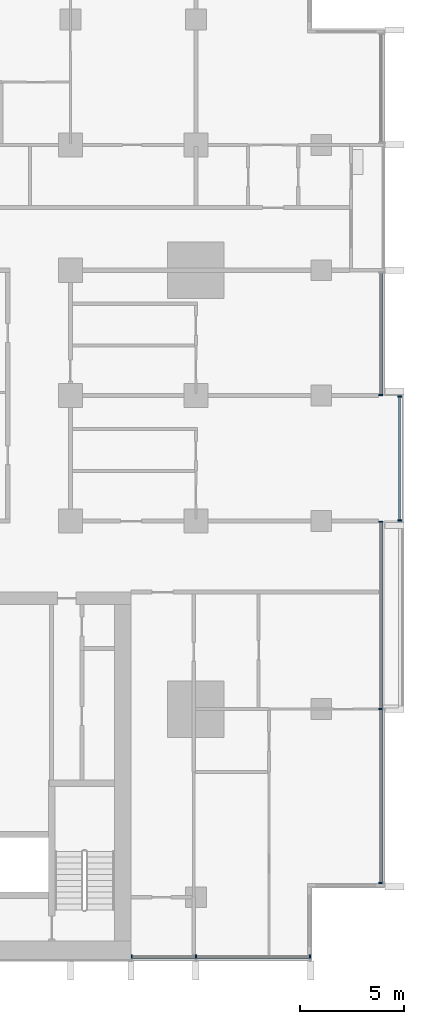
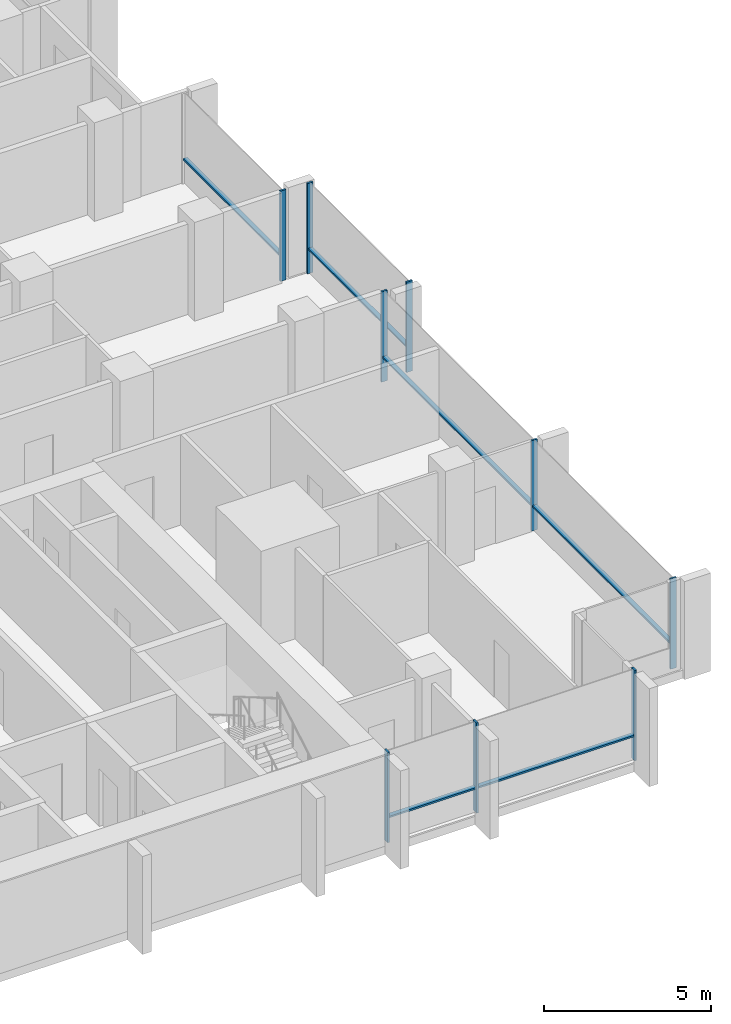
# One storey, part 3 of 17: 15 members, 4 elements without a shape of their own.
"""IFC4 building model written with IfcOpenShell, lengths in metres."""

from ifc_helpers import new_model, si_unit, direction, frame, origin, origin_2d, place, context, subcontext, project, spatial, rectangle, extrude, material, material_profile, profile_set, type_object, element, aggregate, save


model = new_model("IFC4")

# Units and contexts
model_context = context("Model", 3, precision=1e-05, world=origin(), true_north=direction((0.0, 1.0)))
body_context = subcontext(model_context, "Body", "Model", "MODEL_VIEW")
ifc_project = project(units=[si_unit("LENGTHUNIT", "METRE"), si_unit("AREAUNIT", "SQUARE_METRE"), si_unit("VOLUMEUNIT", "CUBIC_METRE"), si_unit("PLANEANGLEUNIT", "RADIAN"), si_unit("MASSUNIT", "GRAM", prefix="KILO")], contexts=[model_context])

# Site, building, storey
site_placement = place(None, origin())
site = spatial("IfcSite", under=ifc_project, at=site_placement, CompositionType="ELEMENT")
building_placement = place(site_placement, origin())
building = spatial("IfcBuilding", under=site, at=building_placement, Name="Finial Court Residences", CompositionType="ELEMENT")
storey_placement = place(building_placement, frame((0.0, 0.0, 99.10009765625)))
storey = spatial("IfcBuildingStorey", under=building, at=storey_placement, Name="L24", CompositionType="ELEMENT", Elevation=99.10009765625)

# Curtain wall, members
ifc_material = material(Name="Bronze anodised aluminium", Category="aluminium")
curtain_wall_type = type_object("IfcCurtainWallType", Name="Unitised curtain wall, lower and middle zones", PredefinedType="NOTDEFINED", material=ifc_material)
curtain_wall_1_placement = place(storey_placement, origin())
curtain_wall_1 = element("IfcCurtainWall", 1, at=curtain_wall_1_placement, inside=storey, type_object=curtain_wall_type, Name="E-L24-CW-E4", PredefinedType="NOTDEFINED")
ifc_material_profile_1 = material_profile(ifc_material, rectangle(XDim=0.199951171875, YDim=0.06494140625, at=origin_2d()), Name="CW1 mullion 65 x 200")
ifc_profile_set_1 = profile_set([ifc_material_profile_1], Name="Bronze anodised aluminium")
member_type_1 = type_object("IfcMemberType", Name="CW1 mullion 65 x 200", PredefinedType="MULLION", material=ifc_profile_set_1)
member_1_placement = place(storey_placement, frame((25.35009765625, -21.8173828125, 0.0), z_axis=(0.0, 0.0, 1.0), x_axis=(-1.0, 0.0, 0.0)))
member_1 = element("IfcMember", 2, at=member_1_placement, type_object=member_type_1, Name="CW1 mullion 1", PredefinedType="MULLION", context=body_context, shape_type="SweptSolid", body=[
    extrude(rectangle(XDim=0.199951171875, YDim=0.06494140625, at=origin_2d()), origin(), (0.0, 0.0, 1.0), 3.2998046875),
])
member_2_placement = place(storey_placement, frame((25.35009765625, -13.5, 0.0), z_axis=(0.0, 0.0, 1.0), x_axis=(-1.0, 0.0, 0.0)))
member_2 = element("IfcMember", 3, at=member_2_placement, type_object=member_type_1, Name="CW1 mullion 2", PredefinedType="MULLION", context=body_context, shape_type="SweptSolid", body=[
    extrude(rectangle(XDim=0.199951171875, YDim=0.06494140625, at=origin_2d()), origin(), (0.0, 0.0, 1.0), 3.2998046875),
])
member_3_placement = place(storey_placement, frame((25.35009765625, -4.532470703125, 0.0), z_axis=(0.0, 0.0, 1.0), x_axis=(-1.0, 0.0, 0.0)))
member_3 = element("IfcMember", 4, at=member_3_placement, type_object=member_type_1, Name="CW1 mullion 3", PredefinedType="MULLION", context=body_context, shape_type="SweptSolid", body=[
    extrude(rectangle(XDim=0.199951171875, YDim=0.06494140625, at=origin_2d()), origin(), (0.0, 0.0, 1.0), 3.2998046875),
])

curtain_wall_2_placement = place(storey_placement, origin())
curtain_wall_2 = element("IfcCurtainWall", 5, at=curtain_wall_2_placement, inside=storey, type_object=curtain_wall_type, Name="E-L24-CW-E5", PredefinedType="NOTDEFINED")
member_4_placement = place(storey_placement, frame((26.25, -4.467529296875, 0.0), z_axis=(0.0, 0.0, 1.0), x_axis=(-1.0, 0.0, 0.0)))
member_4 = element("IfcMember", 6, at=member_4_placement, type_object=member_type_1, Name="CW1 mullion 1", PredefinedType="MULLION", context=body_context, shape_type="SweptSolid", body=[
    extrude(rectangle(XDim=0.199951171875, YDim=0.06494140625, at=origin_2d()), origin(), (0.0, 0.0, 1.0), 3.2998046875),
])
member_5_placement = place(storey_placement, frame((26.25, 1.467529296875, 0.0), z_axis=(0.0, 0.0, 1.0), x_axis=(-1.0, 0.0, 0.0)))
member_5 = element("IfcMember", 7, at=member_5_placement, type_object=member_type_1, Name="CW1 mullion 2", PredefinedType="MULLION", context=body_context, shape_type="SweptSolid", body=[
    extrude(rectangle(XDim=0.199951171875, YDim=0.06494140625, at=origin_2d()), origin(), (0.0, 0.0, 1.0), 3.2998046875),
])

# Curtain wall, member
curtain_wall_3_placement = place(storey_placement, origin())
curtain_wall_3 = element("IfcCurtainWall", 8, at=curtain_wall_3_placement, inside=storey, type_object=curtain_wall_type, Name="E-L24-CW-E6", PredefinedType="NOTDEFINED")
member_6_placement = place(storey_placement, frame((25.35009765625, 1.532470703125, 0.0), z_axis=(0.0, 0.0, 1.0), x_axis=(-1.0, 0.0, 0.0)))
member_6 = element("IfcMember", 9, at=member_6_placement, type_object=member_type_1, Name="CW1 mullion 1", PredefinedType="MULLION", context=body_context, shape_type="SweptSolid", body=[
    extrude(rectangle(XDim=0.199951171875, YDim=0.06494140625, at=origin_2d()), origin(), (0.0, 0.0, 1.0), 3.2998046875),
])

# Curtain wall, members
curtain_wall_4_placement = place(storey_placement, origin())
curtain_wall_4 = element("IfcCurtainWall", 10, at=curtain_wall_4_placement, inside=storey, type_object=curtain_wall_type, Name="E-L24-CW-S9", PredefinedType="NOTDEFINED")
member_7_placement = place(storey_placement, frame((13.4326171875, -25.35009765625, 0.0), z_axis=(0.0, 0.0, 1.0), x_axis=(0.0, 1.0, 0.0)))
member_7 = element("IfcMember", 11, at=member_7_placement, type_object=member_type_1, Name="CW1 mullion 1", PredefinedType="MULLION", context=body_context, shape_type="SweptSolid", body=[
    extrude(rectangle(XDim=0.199951171875, YDim=0.06494140625, at=origin_2d()), origin(), (0.0, 0.0, 1.0), 3.2998046875),
])
member_8_placement = place(storey_placement, frame((16.5, -25.35009765625, 0.0), z_axis=(0.0, 0.0, 1.0), x_axis=(0.0, 1.0, 0.0)))
member_8 = element("IfcMember", 12, at=member_8_placement, type_object=member_type_1, Name="CW1 mullion 2", PredefinedType="MULLION", context=body_context, shape_type="SweptSolid", body=[
    extrude(rectangle(XDim=0.199951171875, YDim=0.06494140625, at=origin_2d()), origin(), (0.0, 0.0, 1.0), 3.2998046875),
])
member_9_placement = place(storey_placement, frame((21.967529296875, -25.35009765625, 0.0), z_axis=(0.0, 0.0, 1.0), x_axis=(0.0, 1.0, 0.0)))
member_9 = element("IfcMember", 13, at=member_9_placement, type_object=member_type_1, Name="CW1 mullion 3", PredefinedType="MULLION", context=body_context, shape_type="SweptSolid", body=[
    extrude(rectangle(XDim=0.199951171875, YDim=0.06494140625, at=origin_2d()), origin(), (0.0, 0.0, 1.0), 3.2998046875),
])

# Member
ifc_material_profile_2 = material_profile(ifc_material, rectangle(XDim=0.14990234375, YDim=0.06494140625, at=origin_2d()), Name="CW1 transom 65 x 150")
ifc_profile_set_2 = profile_set([ifc_material_profile_2], Name="Bronze anodised aluminium")
member_type_2 = type_object("IfcMemberType", Name="CW1 transom 65 x 150", PredefinedType="USERDEFINED", material=ifc_profile_set_2)
member_10_placement = place(storey_placement, frame((25.35009765625, -21.784912109375, 0.89990234375), z_axis=(0.0, 1.0, 0.0), x_axis=(-1.0, 0.0, 0.0)))
member_10 = element("IfcMember", 14, at=member_10_placement, type_object=member_type_2, Name="CW1 transom 1.1", ObjectType="TRANSOM", PredefinedType="USERDEFINED", context=body_context, shape_type="SweptSolid", body=[
    extrude(rectangle(XDim=0.14990234375, YDim=0.06494140625, at=origin_2d()), origin(), (0.0, 0.0, 1.0), 8.25244140625),
])

member_11_placement = place(storey_placement, frame((25.35009765625, -13.467529296875, 0.89990234375), z_axis=(0.0, 1.0, 0.0), x_axis=(-1.0, 0.0, 0.0)))
member_11 = element("IfcMember", 15, at=member_11_placement, type_object=member_type_2, Name="CW1 transom 2.1", ObjectType="TRANSOM", PredefinedType="USERDEFINED", context=body_context, shape_type="SweptSolid", body=[
    extrude(rectangle(XDim=0.14990234375, YDim=0.06494140625, at=origin_2d()), origin(), (0.0, 0.0, 1.0), 8.902587890625),
])

aggregate(curtain_wall_1, [member_1, member_2, member_3, member_10, member_11])

member_12_placement = place(storey_placement, frame((26.25, -4.43505859375, 0.89990234375), z_axis=(0.0, 1.0, 0.0), x_axis=(-1.0, 0.0, 0.0)))
member_12 = element("IfcMember", 16, at=member_12_placement, type_object=member_type_2, Name="CW1 transom 1.1", ObjectType="TRANSOM", PredefinedType="USERDEFINED", context=body_context, shape_type="SweptSolid", body=[
    extrude(rectangle(XDim=0.14990234375, YDim=0.06494140625, at=origin_2d()), origin(), (0.0, 0.0, 1.0), 5.8701171875),
])

aggregate(curtain_wall_2, [member_4, member_5, member_12])

member_13_placement = place(storey_placement, frame((25.35009765625, 1.56494140625, 0.89990234375), z_axis=(0.0, 1.0, 0.0), x_axis=(-1.0, 0.0, 0.0)))
member_13 = element("IfcMember", 17, at=member_13_placement, type_object=member_type_2, Name="CW1 transom 1.1", ObjectType="TRANSOM", PredefinedType="USERDEFINED", context=body_context, shape_type="SweptSolid", body=[
    extrude(rectangle(XDim=0.14990234375, YDim=0.06494140625, at=origin_2d()), origin(), (0.0, 0.0, 1.0), 5.795166015625),
])

aggregate(curtain_wall_3, [member_6, member_13])

member_14_placement = place(storey_placement, frame((13.465087890625, -25.35009765625, 0.89990234375), z_axis=(1.0, 0.0, 0.0), x_axis=(0.0, 1.0, 0.0)))
member_14 = element("IfcMember", 18, at=member_14_placement, type_object=member_type_2, Name="CW1 transom 1.1", ObjectType="TRANSOM", PredefinedType="USERDEFINED", context=body_context, shape_type="SweptSolid", body=[
    extrude(rectangle(XDim=0.14990234375, YDim=0.06494140625, at=origin_2d()), origin(), (0.0, 0.0, 1.0), 3.00244140625),
])

member_15_placement = place(storey_placement, frame((16.532470703125, -25.35009765625, 0.89990234375), z_axis=(1.0, 0.0, 0.0), x_axis=(0.0, 1.0, 0.0)))
member_15 = element("IfcMember", 19, at=member_15_placement, type_object=member_type_2, Name="CW1 transom 2.1", ObjectType="TRANSOM", PredefinedType="USERDEFINED", context=body_context, shape_type="SweptSolid", body=[
    extrude(rectangle(XDim=0.14990234375, YDim=0.06494140625, at=origin_2d()), origin(), (0.0, 0.0, 1.0), 5.402587890625),
])

aggregate(curtain_wall_4, [member_7, member_8, member_9, member_14, member_15])

save(model, "model.ifc")
